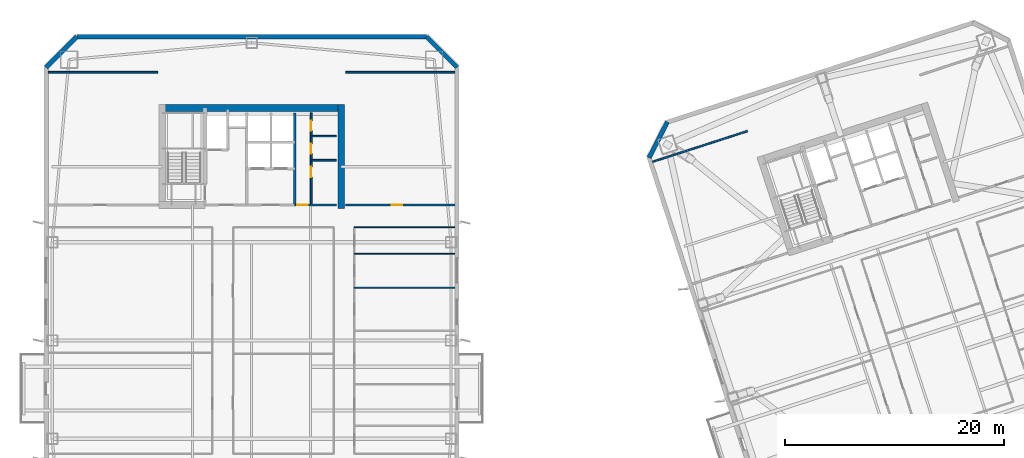
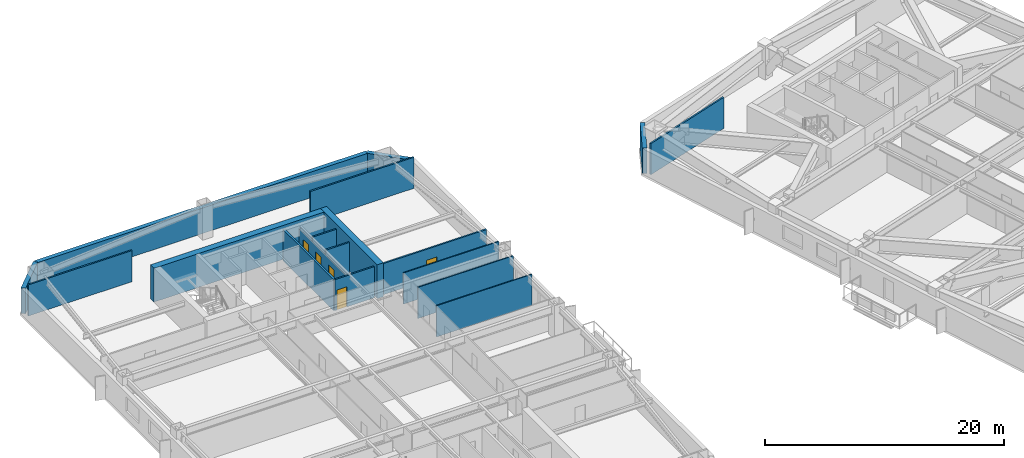
# One storey, part 7 of 17: 18 walls, 5 doors, 5 openings.
"""IFC4 building model written with IfcOpenShell, lengths in metres."""

from ifc_helpers import new_model, si_unit, direction, frame, frame_2d, origin, place, context, subcontext, project, spatial, rectangle, extrude, material, layer, layer_set, type_object, element, fill, save


model = new_model("IFC4")

# Units and contexts
model_context = context("Model", 3, precision=1e-05, world=origin(), true_north=direction((0.0, 1.0)))
body_context = subcontext(model_context, "Body", "Model", "MODEL_VIEW")
ifc_project = project(units=[si_unit("LENGTHUNIT", "METRE"), si_unit("AREAUNIT", "SQUARE_METRE"), si_unit("VOLUMEUNIT", "CUBIC_METRE"), si_unit("PLANEANGLEUNIT", "RADIAN"), si_unit("MASSUNIT", "GRAM", prefix="KILO")], contexts=[model_context])

# Site, building, storey
site_placement = place(None, origin())
site = spatial("IfcSite", under=ifc_project, at=site_placement, CompositionType="ELEMENT")
building_placement = place(site_placement, origin())
building = spatial("IfcBuilding", under=site, at=building_placement, Name="Qiaolan Cultural Towers", CompositionType="ELEMENT")
storey_placement = place(building_placement, frame((0.0, 0.0, 131.10009765625)))
storey = spatial("IfcBuildingStorey", under=building, at=storey_placement, Name="L34", CompositionType="ELEMENT", Elevation=131.10009765625)

# Walls
ifc_material_1 = material(Name="Concrete C55", Category="concrete")
ifc_layer_1 = layer(ifc_material_1, 0.60009765625)
ifc_layer_set_1 = layer_set([ifc_layer_1], Name="Concrete C55")
wall_type_1 = type_object("IfcWallType", Name="WL-CORE-600", PredefinedType="SHEAR", material=ifc_layer_set_1)
wall_1_placement = place(storey_placement, frame((21.5, 55.280029296875, 0.0), z_axis=(0.0, 0.0, 1.0), x_axis=(1.0, 0.0, 0.0)))
element("IfcWall", 1, at=wall_1_placement, inside=storey, type_object=wall_type_1, Name="L34 T1-CN Outer Core Shear Wall", PredefinedType="SHEAR", context=body_context, shape_type="SweptSolid", body=[
    extrude(rectangle(XDim=17.0, YDim=0.60009765625, at=frame_2d((8.5, 0.0))), origin(), (0.0, 0.0, 1.0), 3.449951171875),
])
wall_2_placement = place(storey_placement, frame((38.199951171875, 46.10009765625, 0.0), z_axis=(0.0, 0.0, 1.0), x_axis=(0.0, 1.0, 0.0)))
element("IfcWall", 2, at=wall_2_placement, inside=storey, type_object=wall_type_1, Name="L34 T1-CN East Core Shear Wall", PredefinedType="SHEAR", context=body_context, shape_type="SweptSolid", body=[
    extrude(rectangle(XDim=9.47998046875, YDim=0.60009765625, at=frame_2d((4.739990234375, 0.0))), origin(), (0.0, 0.0, 1.0), 3.449951171875),
])
ifc_material_2 = material(Name="Precast Concrete C50 Honed Stone Pier", Category="masonry")
ifc_layer_2 = layer(ifc_material_2, 0.39990234375)
ifc_layer_set_2 = layer_set([ifc_layer_2], Name="Precast Concrete C50 Honed Stone Pier")
wall_type_2 = type_object("IfcWallType", Name="WL-EXT-PIER-400", PredefinedType="SOLIDWALL", material=ifc_layer_set_2)
wall_3_placement = place(storey_placement, frame((11.199951171875, 59.0, 0.0), z_axis=(0.0, 0.0, 1.0), x_axis=(0.707106781187, 0.707106781187, 0.0)))
element("IfcWall", 3, at=wall_3_placement, inside=storey, type_object=wall_type_2, Name="L34 West Tower Precast Pier Facade Wall F2", PredefinedType="SOLIDWALL", context=body_context, shape_type="SweptSolid", body=[
    extrude(rectangle(XDim=3.9599609375, YDim=0.39990234375, at=frame_2d((1.97998046875, 0.0))), origin(), (0.0, 0.0, 1.0), 2.60986328125),
])
wall_4_placement = place(storey_placement, frame((14.0, 61.800048828125, 0.0), z_axis=(0.0, 0.0, 1.0), x_axis=(1.0, 0.0, 0.0)))
element("IfcWall", 4, at=wall_4_placement, inside=storey, type_object=wall_type_2, Name="L34 West Tower Precast Pier Facade Wall F3", PredefinedType="SOLIDWALL", context=body_context, shape_type="SweptSolid", body=[
    extrude(rectangle(XDim=32.0, YDim=0.39990234375, at=frame_2d((16.0, 0.0))), origin(), (0.0, 0.0, 1.0), 2.60986328125),
])
wall_5_placement = place(storey_placement, frame((46.0, 61.800048828125, 0.0), z_axis=(0.0, 0.0, 1.0), x_axis=(0.707106781187, -0.707106781187, 0.0)))
element("IfcWall", 5, at=wall_5_placement, inside=storey, type_object=wall_type_2, Name="L34 West Tower Precast Pier Facade Wall F4", PredefinedType="SOLIDWALL", context=body_context, shape_type="SweptSolid", body=[
    extrude(rectangle(XDim=3.9599609375, YDim=0.39990234375, at=frame_2d((1.97998046875, 0.0))), origin(), (0.0, 0.0, 1.0), 2.60986328125),
])
wall_6_placement = place(storey_placement, frame((66.37744140625, 50.718505859375, 0.0), z_axis=(0.0, 0.0, 1.0), x_axis=(0.454026238093, 0.890988313685, 0.0)))
element("IfcWall", 6, at=wall_6_placement, inside=storey, type_object=wall_type_2, Name="L34 East Tower Precast Pier Facade Wall F2", PredefinedType="SOLIDWALL", context=body_context, shape_type="SweptSolid", body=[
    extrude(rectangle(XDim=3.677001953125, YDim=0.39990234375, at=frame_2d((1.83837890625, 0.0))), origin(), (0.0, 0.0, 1.0), 2.60986328125),
])
ifc_material_3 = material(Name="Concrete C35 Fire Wall", Category="concrete")
ifc_layer_3 = layer(ifc_material_3, 0.199951171875)
ifc_layer_set_3 = layer_set([ifc_layer_3], Name="Concrete C35 Fire Wall")
wall_type_3 = type_object("IfcWallType", Name="WL-FIRE-200", PredefinedType="PARTITIONING", material=ifc_layer_set_3)
wall_7_placement = place(storey_placement, frame((33.949951171875, 46.39990234375, 0.0), z_axis=(0.0, 0.0, 1.0), x_axis=(0.0, 1.0, 0.0)))
element("IfcWall", 7, at=wall_7_placement, inside=storey, type_object=wall_type_3, Name="L34 T1-CN Lift Core East Wall", PredefinedType="PARTITIONING", context=body_context, shape_type="SweptSolid", body=[
    extrude(rectangle(XDim=8.43017578125, YDim=0.199951171875, at=frame_2d((4.215087890625, 0.0))), origin(), (0.0, 0.0, 1.0), 3.1748046875),
])
ifc_material_4 = material(Name="Acoustic Double-Glazed Partition Frame", Category="glass")
ifc_layer_4 = layer(ifc_material_4, 0.10009765625)
ifc_layer_set_4 = layer_set([ifc_layer_4], Name="Acoustic Double-Glazed Partition Frame")
wall_type_4 = type_object("IfcWallType", Name="WL-GLAZED-100", PredefinedType="MOVABLE", material=ifc_layer_set_4)
for number, where, z_axis, x_axis, name in (
    (8, (39.39990234375, 44.35009765625, 0.0), (0.0, 0.0, 1.0), (1.0, 0.0, 0.0), "L34 T1 Interior Wall"),
    (9, (39.39990234375, 38.8291015625, 0.0), (0.0, 0.0, 1.0), (1.0, 0.0, 0.0), "L34 T1 Interior Wall"),
    (10, (39.39990234375, 41.93408203125, 0.0), (0.0, 0.0, 1.0), (1.0, 0.0, 0.0), "L34 T1 Interior Wall"),
):
    element("IfcWall", number, at=place(storey_placement, frame(where, z_axis=z_axis, x_axis=x_axis)), inside=storey, type_object=wall_type_4, Name=name, PredefinedType="MOVABLE", context=body_context, shape_type="SweptSolid", body=[
        extrude(rectangle(XDim=9.2001953125, YDim=0.10009765625, at=frame_2d((4.60009765625, 0.0))), origin(), (0.0, 0.0, 1.0), 3.1748046875),
    ])

# Wall, opening, door
ifc_material_5 = material(Name="Autoclaved Aerated Concrete Block B06", Category="concrete")
ifc_layer_5 = layer(ifc_material_5, 0.14990234375)
ifc_layer_set_5 = layer_set([ifc_layer_5], Name="Autoclaved Aerated Concrete Block B06")
wall_type_5 = type_object("IfcWallType", Name="WL-PART-150", PredefinedType="PARTITIONING", material=ifc_layer_set_5)
wall_8_placement = place(storey_placement, frame((33.949951171875, 46.39990234375, 0.0), z_axis=(0.0, 0.0, 1.0), x_axis=(1.0, 0.0, 0.0)))
wall_8 = element("IfcWall", 11, at=wall_8_placement, inside=storey, type_object=wall_type_5, Name="L34 T1-CN Sanitary Core Front Wall", PredefinedType="PARTITIONING", context=body_context, shape_type="SweptSolid", body=[
    extrude(rectangle(XDim=3.800048828125, YDim=0.14990234375, at=frame_2d((1.89990234375, 0.0))), origin(), (0.0, 0.0, 1.0), 3.1748046875),
])
opening_1_placement = place(wall_8_placement, frame((0.219970703125, 0.0, 0.0)))
opening_1 = element("IfcOpeningElement", 12, at=opening_1_placement, cuts=wall_8, Name="Opening ID-05", PredefinedType="OPENING", context=body_context, shape_type="SweptSolid", body=[
    extrude(rectangle(XDim=0.949951171875, YDim=2.050048828125, at=frame_2d((0.47509765625, 1.02490234375))), frame((0.0, 0.0849609375, 0.0), z_axis=(0.0, -1.0, 0.0), x_axis=(1.0, 0.0, 0.0)), (0.0, 0.0, 1.0), 0.169921875),
])
ifc_material_6 = material(Name="Fire-Rated Laminate Accessible Core Door", Category="timber")
door_type_1 = type_object("IfcDoorType", Name="DR-INT-950", OperationType="NOTDEFINED", PredefinedType="DOOR", material=ifc_material_6)
door_1_placement = place(opening_1_placement, origin())
door_1 = element("IfcDoor", 13, at=door_1_placement, inside=storey, type_object=door_type_1, Name="L34 Sanitary Vestibule Door", OperationType="SINGLE_SWING_LEFT", OverallHeight=2.050048828125, OverallWidth=0.949951171875, PredefinedType="DOOR", context=body_context, shape_type="SweptSolid", body=[
    extrude(rectangle(XDim=0.949951171875, YDim=2.050048828125, at=frame_2d((0.47509765625, 1.02490234375))), frame((0.0, 0.02490234375, 0.0), z_axis=(0.0, -1.0, 0.0), x_axis=(1.0, 0.0, 0.0)), (0.0, 0.0, 1.0), 0.050048828125),
])
fill(opening_1, door_1)

# Wall, openings, doors
wall_9_placement = place(storey_placement, frame((35.449951171875, 46.39990234375, 0.0), z_axis=(0.0, 0.0, 1.0), x_axis=(0.0, 1.0, 0.0)))
wall_9 = element("IfcWall", 14, at=wall_9_placement, inside=storey, type_object=wall_type_5, Name="L34 T1-CN Sanitary Vestibule Wall", PredefinedType="PARTITIONING", context=body_context, shape_type="SweptSolid", body=[
    extrude(rectangle(XDim=8.43017578125, YDim=0.14990234375, at=frame_2d((4.215087890625, 0.0))), origin(), (0.0, 0.0, 1.0), 2.764892578125),
])
opening_2_placement = place(wall_9_placement, frame((2.550048828125, 0.0, 0.0)))
opening_2 = element("IfcOpeningElement", 15, at=opening_2_placement, cuts=wall_9, Name="Opening ID-05", PredefinedType="OPENING", context=body_context, shape_type="SweptSolid", body=[
    extrude(rectangle(XDim=0.949951171875, YDim=2.050048828125, at=frame_2d((0.47509765625, 1.02490234375))), frame((0.0, 0.0849609375, 0.0), z_axis=(0.0, -1.0, 0.0), x_axis=(1.0, 0.0, 0.0)), (0.0, 0.0, 1.0), 0.169921875),
])
opening_3_placement = place(wall_9_placement, frame((4.699951171875, 0.0, 0.0)))
opening_3 = element("IfcOpeningElement", 16, at=opening_3_placement, cuts=wall_9, Name="Opening ID-06", PredefinedType="OPENING", context=body_context, shape_type="SweptSolid", body=[
    extrude(rectangle(XDim=0.89990234375, YDim=2.050048828125, at=frame_2d((0.449951171875, 1.02490234375))), frame((0.0, 0.0849609375, 0.0), z_axis=(0.0, -1.0, 0.0), x_axis=(1.0, 0.0, 0.0)), (0.0, 0.0, 1.0), 0.169921875),
])
opening_4_placement = place(wall_9_placement, frame((6.800048828125, 0.0, 0.0)))
opening_4 = element("IfcOpeningElement", 17, at=opening_4_placement, cuts=wall_9, Name="Opening ID-06", PredefinedType="OPENING", context=body_context, shape_type="SweptSolid", body=[
    extrude(rectangle(XDim=0.89990234375, YDim=2.050048828125, at=frame_2d((0.449951171875, 1.02490234375))), frame((0.0, 0.0849609375, 0.0), z_axis=(0.0, -1.0, 0.0), x_axis=(1.0, 0.0, 0.0)), (0.0, 0.0, 1.0), 0.169921875),
])
ifc_material_7 = material(Name="Fire-Rated Laminate Core Service Door", Category="timber")
door_type_2 = type_object("IfcDoorType", Name="DR-INT-900", OperationType="NOTDEFINED", PredefinedType="DOOR", material=ifc_material_7)
door_2_placement = place(opening_3_placement, origin())
door_2 = element("IfcDoor", 18, at=door_2_placement, inside=storey, type_object=door_type_2, Name="L34 Men Washroom Door", OperationType="SINGLE_SWING_LEFT", OverallHeight=2.050048828125, OverallWidth=0.89990234375, PredefinedType="DOOR", context=body_context, shape_type="SweptSolid", body=[
    extrude(rectangle(XDim=0.89990234375, YDim=2.050048828125, at=frame_2d((0.449951171875, 1.02490234375))), frame((0.0, 0.02490234375, 0.0), z_axis=(0.0, -1.0, 0.0), x_axis=(1.0, 0.0, 0.0)), (0.0, 0.0, 1.0), 0.050048828125),
])
fill(opening_3, door_2)
door_3_placement = place(opening_4_placement, origin())
door_3 = element("IfcDoor", 19, at=door_3_placement, inside=storey, type_object=door_type_2, Name="L34 Women Washroom Door", OperationType="SINGLE_SWING_RIGHT", OverallHeight=2.050048828125, OverallWidth=0.89990234375, PredefinedType="DOOR", context=body_context, shape_type="SweptSolid", body=[
    extrude(rectangle(XDim=0.89990234375, YDim=2.050048828125, at=frame_2d((0.449951171875, 1.02490234375))), frame((0.0, 0.02490234375, 0.0), z_axis=(0.0, -1.0, 0.0), x_axis=(1.0, 0.0, 0.0)), (0.0, 0.0, 1.0), 0.050048828125),
])
fill(opening_4, door_3)
door_4_placement = place(opening_2_placement, origin())
door_4 = element("IfcDoor", 20, at=door_4_placement, inside=storey, type_object=door_type_1, Name="L34 Accessible Family Washroom Door", OperationType="SINGLE_SWING_LEFT", OverallHeight=2.050048828125, OverallWidth=0.949951171875, PredefinedType="DOOR", context=body_context, shape_type="SweptSolid", body=[
    extrude(rectangle(XDim=0.949951171875, YDim=2.050048828125, at=frame_2d((0.47509765625, 1.02490234375))), frame((0.0, 0.02490234375, 0.0), z_axis=(0.0, -1.0, 0.0), x_axis=(1.0, 0.0, 0.0)), (0.0, 0.0, 1.0), 0.050048828125),
])
fill(opening_2, door_4)

# Walls
for number, where, z_axis, x_axis, name in (
    (21, (35.449951171875, 50.5, 0.0), (0.0, 0.0, 1.0), (1.0, 0.0, 0.0), "L34 T1-CN Restroom Split Wall 1"),
    (22, (35.449951171875, 52.699951171875, 0.0), (0.0, 0.0, 1.0), (1.0, 0.0, 0.0), "L34 T1-CN Restroom Split Wall 2"),
):
    element("IfcWall", number, at=place(storey_placement, frame(where, z_axis=z_axis, x_axis=x_axis)), inside=storey, type_object=wall_type_5, Name=name, PredefinedType="PARTITIONING", context=body_context, shape_type="SweptSolid", body=[
        extrude(rectangle(XDim=2.300048828125, YDim=0.14990234375, at=frame_2d((1.14990234375, 0.0))), origin(), (0.0, 0.0, 1.0), 3.1748046875),
    ])
for number, where, z_axis, x_axis, name in (
    (23, (11.39990234375, 58.550048828125, 0.0), (0.0, 0.0, 1.0), (1.0, 0.0, 0.0), "L34 T1 Flank Wall FLK-NW"),
    (24, (38.60009765625, 58.550048828125, 0.0), (0.0, 0.0, 1.0), (1.0, 0.0, 0.0), "L34 T1 Flank Wall FLK-NE"),
):
    element("IfcWall", number, at=place(storey_placement, frame(where, z_axis=z_axis, x_axis=x_axis)), inside=storey, type_object=wall_type_5, Name=name, PredefinedType="PARTITIONING", context=body_context, shape_type="SweptSolid", body=[
        extrude(rectangle(XDim=10.0, YDim=0.14990234375, at=frame_2d((5.0, 0.0))), origin(), (0.0, 0.0, 1.0), 3.1748046875),
    ])

# Wall, opening, door
wall_10_placement = place(storey_placement, frame((38.60009765625, 46.39990234375, 0.0), z_axis=(0.0, 0.0, 1.0), x_axis=(1.0, 0.0, 0.0)))
wall_10 = element("IfcWall", 25, at=wall_10_placement, inside=storey, type_object=wall_type_5, Name="L34 T1 Flank Front FLK-NE", PredefinedType="PARTITIONING", context=body_context, shape_type="SweptSolid", body=[
    extrude(rectangle(XDim=10.0, YDim=0.14990234375, at=frame_2d((5.0, 0.0))), origin(), (0.0, 0.0, 1.0), 3.1748046875),
])
opening_5_placement = place(wall_10_placement, frame((4.199951171875, 0.0, 0.0)))
opening_5 = element("IfcOpeningElement", 26, at=opening_5_placement, cuts=wall_10, Name="Opening ID-04", PredefinedType="OPENING", context=body_context, shape_type="SweptSolid", body=[
    extrude(rectangle(XDim=1.0, YDim=2.050048828125, at=frame_2d((0.5, 1.02490234375))), frame((0.0, 0.0849609375, 0.0), z_axis=(0.0, -1.0, 0.0), x_axis=(1.0, 0.0, 0.0)), (0.0, 0.0, 1.0), 0.169921875),
])
ifc_material_8 = material(Name="Oak Veneer Acoustic Office Door", Category="timber")
door_type_3 = type_object("IfcDoorType", Name="DR-INT-1000", OperationType="NOTDEFINED", PredefinedType="DOOR", material=ifc_material_8)
door_5_placement = place(opening_5_placement, origin())
door_5 = element("IfcDoor", 27, at=door_5_placement, inside=storey, type_object=door_type_3, Name="L34 T1 Corner Studio Door", OperationType="SINGLE_SWING_LEFT", OverallHeight=2.050048828125, OverallWidth=1.0, PredefinedType="DOOR", context=body_context, shape_type="SweptSolid", body=[
    extrude(rectangle(XDim=1.0, YDim=2.050048828125, at=frame_2d((0.5, 1.02490234375))), frame((0.0, 0.02490234375, 0.0), z_axis=(0.0, -1.0, 0.0), x_axis=(1.0, 0.0, 0.0)), (0.0, 0.0, 1.0), 0.050048828125),
])
fill(opening_5, door_5)

# Wall
wall_11_placement = place(storey_placement, frame((66.706787109375, 50.352294921875, 0.0), z_axis=(0.0, 0.0, 1.0), x_axis=(0.951057133767, 0.309015093986, 0.0)))
element("IfcWall", 28, at=wall_11_placement, inside=storey, type_object=wall_type_5, Name="L34 T2 Flank Wall FLK-NW", PredefinedType="PARTITIONING", context=body_context, shape_type="SweptSolid", body=[
    extrude(rectangle(XDim=9.099853515625, YDim=0.14990234375, at=frame_2d((4.5498046875, 0.0))), origin(), (0.0, 0.0, 1.0), 3.1748046875),
])

save(model, "model.ifc")
